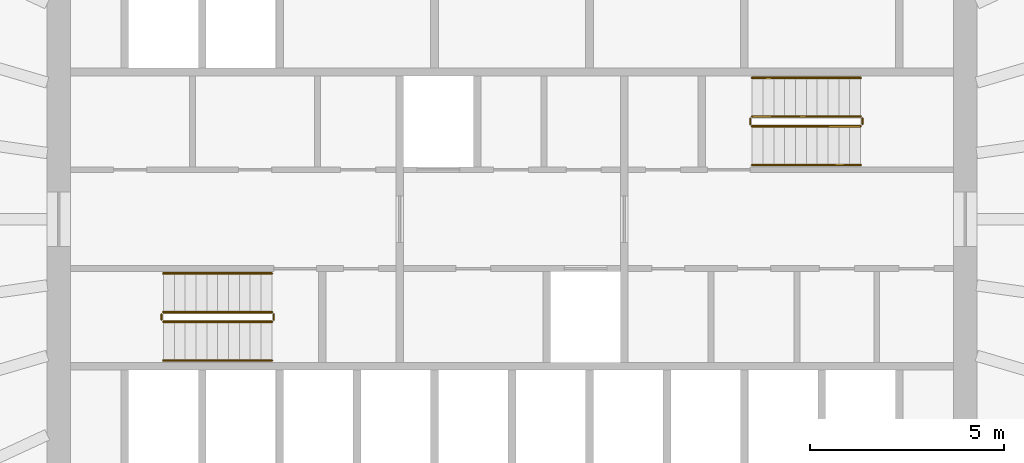
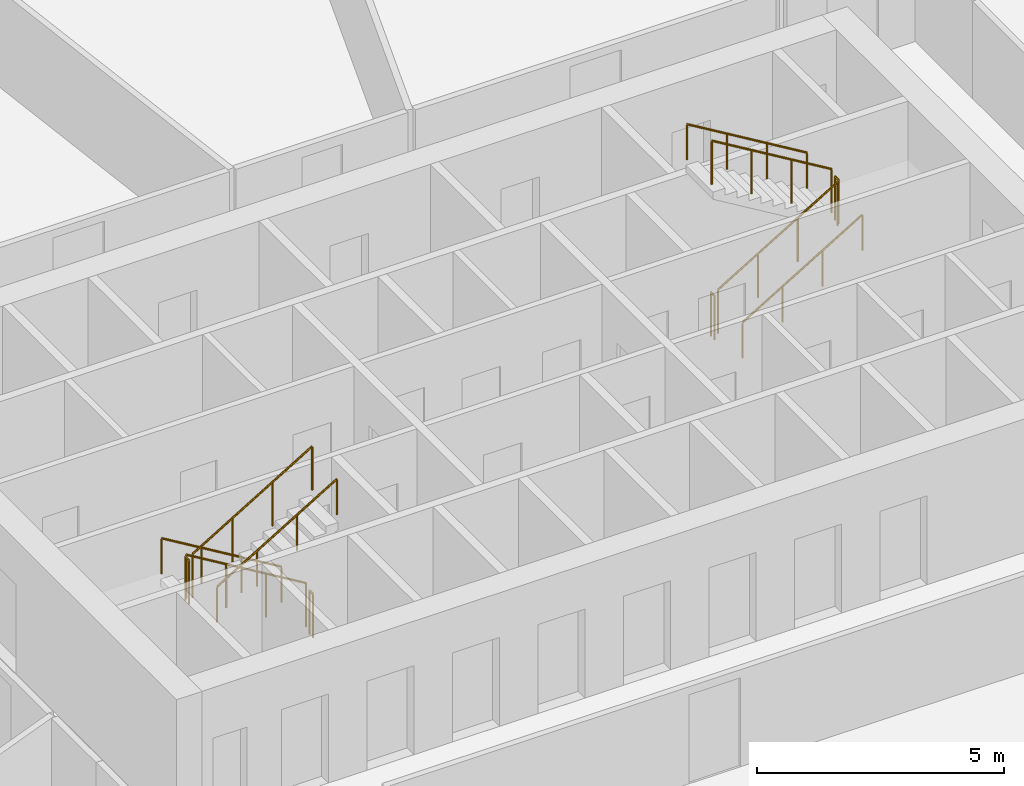
# One storey, part 11 of 11: 12 railings.
"""IFC4 building model written with IfcOpenShell, lengths in metres."""

from ifc_helpers import new_model, si_unit, direction, frame, origin, origin_2d, place, context, subcontext, project, spatial, circle, extrude, material, type_object, element, save


model = new_model("IFC4")

# Units and contexts
model_context = context("Model", 3, precision=1e-05, world=origin(), true_north=direction((0.0, 1.0)))
body_context = subcontext(model_context, "Body", "Model", "MODEL_VIEW")
ifc_project = project(units=[si_unit("LENGTHUNIT", "METRE"), si_unit("AREAUNIT", "SQUARE_METRE"), si_unit("VOLUMEUNIT", "CUBIC_METRE"), si_unit("PLANEANGLEUNIT", "RADIAN"), si_unit("MASSUNIT", "GRAM", prefix="KILO")], contexts=[model_context])

# Site, building, storey
site_placement = place(None, origin())
site = spatial("IfcSite", under=ifc_project, at=site_placement, CompositionType="ELEMENT")
building_placement = place(site_placement, origin())
building = spatial("IfcBuilding", under=site, at=building_placement, Name="Siaravel Broadcast Tower", CompositionType="ELEMENT")
storey_placement = place(building_placement, frame((0.0, 0.0, 55.60009765625)))
storey = spatial("IfcBuildingStorey", under=building, at=storey_placement, Name="L12", CompositionType="ELEMENT", Elevation=55.60009765625)

# Railings
ifc_material = material(Name="Stainless steel 316L", Category="steel")
railing_type_1 = type_object("IfcRailingType", Name="Stair guard 1100", PredefinedType="GUARDRAIL", material=ifc_material)
railing_1_placement = place(storey_placement, frame((-6.199951171875, -2.39990234375, 0.16796875)))
element("IfcRailing", 1, at=railing_1_placement, inside=storey, type_object=railing_type_1, Name="L12 ST-1 stair guard 1", PredefinedType="GUARDRAIL", context=body_context, shape_type="SweptSolid", body=[
    extrude(circle(Radius=0.02392578125, at=origin_2d()), frame((0.0, 0.0, 1.076171875), z_axis=(-0.857242211, 0.0, 0.514913383), x_axis=(0.0, -1.0, 0.0)), (0.0, 0.0, 1.0), 3.266357421875),
    extrude(circle(Radius=0.02099609375, at=origin_2d()), origin(), (0.0, 0.0, 1.0), 1.052001953125),
    extrude(circle(Radius=0.02099609375, at=origin_2d()), frame((-0.933349609375, 0.0, 0.560546875)), (0.0, 0.0, 1.0), 1.052001953125),
    extrude(circle(Radius=0.02099609375, at=origin_2d()), frame((-1.86669921875, 0.0, 1.121337890625)), (0.0, 0.0, 1.0), 1.052001953125),
    extrude(circle(Radius=0.02099609375, at=origin_2d()), frame((-2.800048828125, 0.0, 1.681884765625)), (0.0, 0.0, 1.0), 1.052001953125),
])
railing_2_placement = place(storey_placement, frame((-9.050048828125, -2.449951171875, 1.849853515625)))
element("IfcRailing", 2, at=railing_2_placement, inside=storey, type_object=railing_type_1, Name="L12 ST-1 stair guard 2", PredefinedType="GUARDRAIL", context=body_context, shape_type="SweptSolid", body=[
    extrude(circle(Radius=0.02392578125, at=origin_2d()), frame((0.0, 0.0, 1.076171875), z_axis=(0.0, -1.0, 0.0), x_axis=(1.0, 0.0, 0.0)), (0.0, 0.0, 1.0), 0.150146484375),
    extrude(circle(Radius=0.02099609375, at=origin_2d()), origin(), (0.0, 0.0, 1.0), 1.052001953125),
    extrude(circle(Radius=0.02099609375, at=origin_2d()), frame((0.0, -0.150146484375, 0.0)), (0.0, 0.0, 1.0), 1.052001953125),
])
railing_3_placement = place(storey_placement, frame((-9.0, -2.64990234375, 2.01806640625)))
element("IfcRailing", 3, at=railing_3_placement, inside=storey, type_object=railing_type_1, Name="L12 ST-1 stair guard 3", PredefinedType="GUARDRAIL", context=body_context, shape_type="SweptSolid", body=[
    extrude(circle(Radius=0.02392578125, at=origin_2d()), frame((0.0, 0.0, 1.076171875), z_axis=(0.857242211, 0.0, 0.514913383), x_axis=(0.0, 1.0, 0.0)), (0.0, 0.0, 1.0), 3.266357421875),
    extrude(circle(Radius=0.02099609375, at=origin_2d()), origin(), (0.0, 0.0, 1.0), 1.052001953125),
    extrude(circle(Radius=0.02099609375, at=origin_2d()), frame((0.933349609375, 0.0, 0.560546875)), (0.0, 0.0, 1.0), 1.052001953125),
    extrude(circle(Radius=0.02099609375, at=origin_2d()), frame((1.86669921875, 0.0, 1.121337890625)), (0.0, 0.0, 1.0), 1.052001953125),
    extrude(circle(Radius=0.02099609375, at=origin_2d()), frame((2.800048828125, 0.0, 1.681884765625)), (0.0, 0.0, 1.0), 1.052001953125),
])
railing_4_placement = place(storey_placement, frame((-6.14990234375, -2.449951171875, 0.0)))
element("IfcRailing", 4, at=railing_4_placement, inside=storey, type_object=railing_type_1, Name="L12 ST-1 stair guard 4", PredefinedType="GUARDRAIL", context=body_context, shape_type="SweptSolid", body=[
    extrude(circle(Radius=0.02392578125, at=origin_2d()), frame((0.0, 0.0, 1.076171875), z_axis=(0.0, -1.0, 0.0), x_axis=(1.0, 0.0, 0.0)), (0.0, 0.0, 1.0), 0.150146484375),
    extrude(circle(Radius=0.02099609375, at=origin_2d()), origin(), (0.0, 0.0, 1.0), 1.052001953125),
    extrude(circle(Radius=0.02099609375, at=origin_2d()), frame((0.0, -0.150146484375, 0.0)), (0.0, 0.0, 1.0), 1.052001953125),
])
railing_5_placement = place(storey_placement, frame((6.199951171875, 2.39990234375, 0.16796875)))
element("IfcRailing", 5, at=railing_5_placement, inside=storey, type_object=railing_type_1, Name="L12 ST-2 stair guard 1", PredefinedType="GUARDRAIL", context=body_context, shape_type="SweptSolid", body=[
    extrude(circle(Radius=0.02392578125, at=origin_2d()), frame((0.0, 0.0, 1.076171875), z_axis=(0.857242211, 0.0, 0.514913383), x_axis=(0.0, 1.0, 0.0)), (0.0, 0.0, 1.0), 3.266357421875),
    extrude(circle(Radius=0.02099609375, at=origin_2d()), origin(), (0.0, 0.0, 1.0), 1.052001953125),
    extrude(circle(Radius=0.02099609375, at=origin_2d()), frame((0.933349609375, 0.0, 0.560546875)), (0.0, 0.0, 1.0), 1.052001953125),
    extrude(circle(Radius=0.02099609375, at=origin_2d()), frame((1.86669921875, 0.0, 1.121337890625)), (0.0, 0.0, 1.0), 1.052001953125),
    extrude(circle(Radius=0.02099609375, at=origin_2d()), frame((2.800048828125, 0.0, 1.681884765625)), (0.0, 0.0, 1.0), 1.052001953125),
])
railing_6_placement = place(storey_placement, frame((9.050048828125, 2.449951171875, 1.849853515625)))
element("IfcRailing", 6, at=railing_6_placement, inside=storey, type_object=railing_type_1, Name="L12 ST-2 stair guard 2", PredefinedType="GUARDRAIL", context=body_context, shape_type="SweptSolid", body=[
    extrude(circle(Radius=0.02392578125, at=origin_2d()), frame((0.0, 0.0, 1.076171875), z_axis=(0.0, 1.0, 0.0), x_axis=(-1.0, 0.0, 0.0)), (0.0, 0.0, 1.0), 0.150146484375),
    extrude(circle(Radius=0.02099609375, at=origin_2d()), origin(), (0.0, 0.0, 1.0), 1.052001953125),
    extrude(circle(Radius=0.02099609375, at=origin_2d()), frame((0.0, 0.150146484375, 0.0)), (0.0, 0.0, 1.0), 1.052001953125),
])
railing_7_placement = place(storey_placement, frame((9.0, 2.64990234375, 2.01806640625)))
element("IfcRailing", 7, at=railing_7_placement, inside=storey, type_object=railing_type_1, Name="L12 ST-2 stair guard 3", PredefinedType="GUARDRAIL", context=body_context, shape_type="SweptSolid", body=[
    extrude(circle(Radius=0.02392578125, at=origin_2d()), frame((0.0, 0.0, 1.076171875), z_axis=(-0.857242211, 0.0, 0.514913383), x_axis=(0.0, -1.0, 0.0)), (0.0, 0.0, 1.0), 3.266357421875),
    extrude(circle(Radius=0.02099609375, at=origin_2d()), origin(), (0.0, 0.0, 1.0), 1.052001953125),
    extrude(circle(Radius=0.02099609375, at=origin_2d()), frame((-0.933349609375, 0.0, 0.560546875)), (0.0, 0.0, 1.0), 1.052001953125),
    extrude(circle(Radius=0.02099609375, at=origin_2d()), frame((-1.86669921875, 0.0, 1.121337890625)), (0.0, 0.0, 1.0), 1.052001953125),
    extrude(circle(Radius=0.02099609375, at=origin_2d()), frame((-2.800048828125, 0.0, 1.681884765625)), (0.0, 0.0, 1.0), 1.052001953125),
])
railing_8_placement = place(storey_placement, frame((6.14990234375, 2.449951171875, 0.0)))
element("IfcRailing", 8, at=railing_8_placement, inside=storey, type_object=railing_type_1, Name="L12 ST-2 stair guard 4", PredefinedType="GUARDRAIL", context=body_context, shape_type="SweptSolid", body=[
    extrude(circle(Radius=0.02392578125, at=origin_2d()), frame((0.0, 0.0, 1.076171875), z_axis=(0.0, 1.0, 0.0), x_axis=(-1.0, 0.0, 0.0)), (0.0, 0.0, 1.0), 0.150146484375),
    extrude(circle(Radius=0.02099609375, at=origin_2d()), origin(), (0.0, 0.0, 1.0), 1.052001953125),
    extrude(circle(Radius=0.02099609375, at=origin_2d()), frame((0.0, 0.150146484375, 0.0)), (0.0, 0.0, 1.0), 1.052001953125),
])
railing_type_2 = type_object("IfcRailingType", Name="Stair handrail 900", PredefinedType="HANDRAIL", material=ifc_material)
railing_9_placement = place(storey_placement, frame((-6.199951171875, -1.39990234375, 0.16796875)))
element("IfcRailing", 9, at=railing_9_placement, inside=storey, type_object=railing_type_2, Name="L12 ST-1 stair handrail 1", PredefinedType="HANDRAIL", context=body_context, shape_type="SweptSolid", body=[
    extrude(circle(Radius=0.02392578125, at=origin_2d()), frame((0.0, 0.0, 0.8759765625), z_axis=(-0.857242211, 0.0, 0.514913383), x_axis=(0.0, -1.0, 0.0)), (0.0, 0.0, 1.0), 3.266357421875),
    extrude(circle(Radius=0.02099609375, at=origin_2d()), origin(), (0.0, 0.0, 1.0), 0.851806640625),
    extrude(circle(Radius=0.02099609375, at=origin_2d()), frame((-0.933349609375, 0.0, 0.560546875)), (0.0, 0.0, 1.0), 0.851806640625),
    extrude(circle(Radius=0.02099609375, at=origin_2d()), frame((-1.86669921875, 0.0, 1.121337890625)), (0.0, 0.0, 1.0), 0.851806640625),
    extrude(circle(Radius=0.02099609375, at=origin_2d()), frame((-2.800048828125, 0.0, 1.681884765625)), (0.0, 0.0, 1.0), 0.851806640625),
])
for number, where, name in (
    (10, (-9.0, -3.64990234375, 2.01806640625), "L12 ST-1 stair handrail 2"),
    (11, (6.199951171875, 1.39990234375, 0.16796875), "L12 ST-2 stair handrail 1"),
):
    element("IfcRailing", number, at=place(storey_placement, frame(where)), inside=storey, type_object=railing_type_2, Name=name, PredefinedType="HANDRAIL", context=body_context, shape_type="SweptSolid", body=[
        extrude(circle(Radius=0.02392578125, at=origin_2d()), frame((0.0, 0.0, 0.8759765625), z_axis=(0.857242211, 0.0, 0.514913383), x_axis=(0.0, 1.0, 0.0)), (0.0, 0.0, 1.0), 3.266357421875),
        extrude(circle(Radius=0.02099609375, at=origin_2d()), origin(), (0.0, 0.0, 1.0), 0.851806640625),
        extrude(circle(Radius=0.02099609375, at=origin_2d()), frame((0.933349609375, 0.0, 0.560546875)), (0.0, 0.0, 1.0), 0.851806640625),
        extrude(circle(Radius=0.02099609375, at=origin_2d()), frame((1.86669921875, 0.0, 1.121337890625)), (0.0, 0.0, 1.0), 0.851806640625),
        extrude(circle(Radius=0.02099609375, at=origin_2d()), frame((2.800048828125, 0.0, 1.681884765625)), (0.0, 0.0, 1.0), 0.851806640625),
    ])
railing_10_placement = place(storey_placement, frame((9.0, 3.64990234375, 2.01806640625)))
element("IfcRailing", 12, at=railing_10_placement, inside=storey, type_object=railing_type_2, Name="L12 ST-2 stair handrail 2", PredefinedType="HANDRAIL", context=body_context, shape_type="SweptSolid", body=[
    extrude(circle(Radius=0.02392578125, at=origin_2d()), frame((0.0, 0.0, 0.8759765625), z_axis=(-0.857242211, 0.0, 0.514913383), x_axis=(0.0, -1.0, 0.0)), (0.0, 0.0, 1.0), 3.266357421875),
    extrude(circle(Radius=0.02099609375, at=origin_2d()), origin(), (0.0, 0.0, 1.0), 0.851806640625),
    extrude(circle(Radius=0.02099609375, at=origin_2d()), frame((-0.933349609375, 0.0, 0.560546875)), (0.0, 0.0, 1.0), 0.851806640625),
    extrude(circle(Radius=0.02099609375, at=origin_2d()), frame((-1.86669921875, 0.0, 1.121337890625)), (0.0, 0.0, 1.0), 0.851806640625),
    extrude(circle(Radius=0.02099609375, at=origin_2d()), frame((-2.800048828125, 0.0, 1.681884765625)), (0.0, 0.0, 1.0), 0.851806640625),
])

save(model, "model.ifc")
